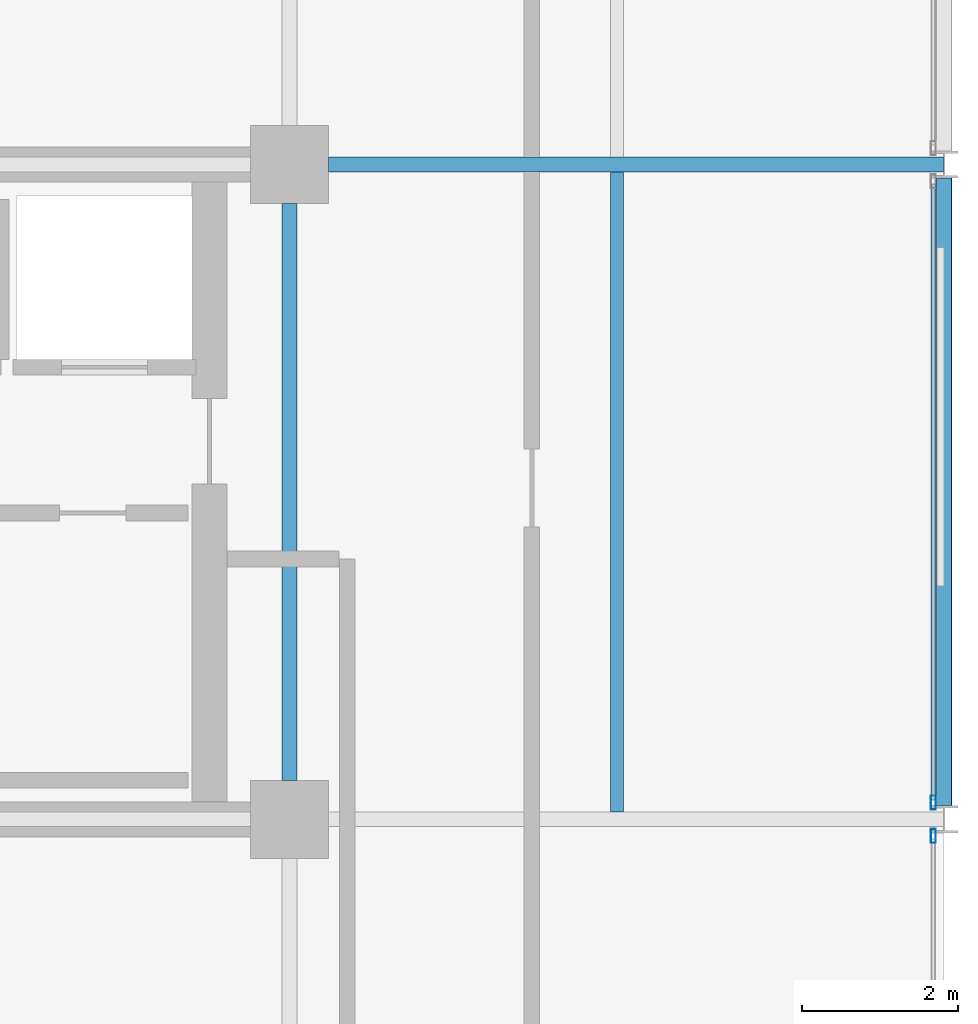
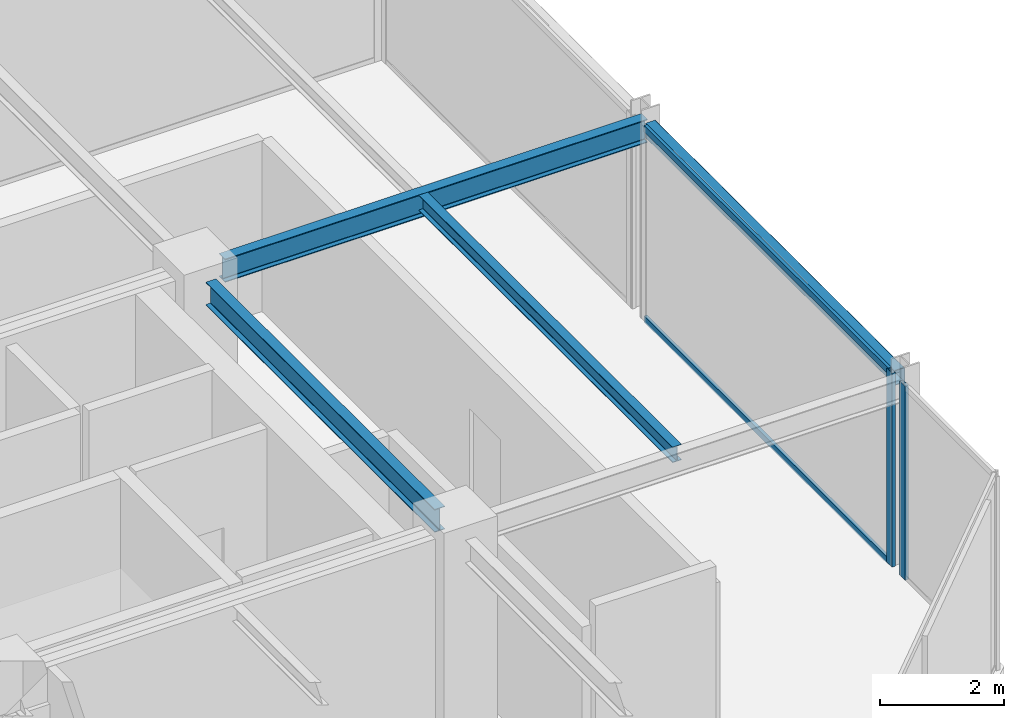
# One storey, part 14 of 25: 4 beams, 4 members, 2 elements without a shape of their own.
"""IFC4 building model written with IfcOpenShell, lengths in metres."""

from ifc_helpers import new_model, si_unit, direction, frame, origin, origin_2d, place, context, subcontext, project, spatial, hollow_rectangle, i_section, extrude, material, layer, layer_set, material_profile, profile_set, type_object, element, aggregate, save


model = new_model("IFC4")

# Units and contexts
model_context = context("Model", 3, precision=1e-05, world=origin(), true_north=direction((0.0, 1.0)))
body_context = subcontext(model_context, "Body", "Model", "MODEL_VIEW")
ifc_project = project(units=[si_unit("LENGTHUNIT", "METRE"), si_unit("AREAUNIT", "SQUARE_METRE"), si_unit("VOLUMEUNIT", "CUBIC_METRE"), si_unit("PLANEANGLEUNIT", "RADIAN"), si_unit("MASSUNIT", "GRAM", prefix="KILO")], contexts=[model_context])

# Site, building, storey
site_placement = place(None, origin())
site = spatial("IfcSite", under=ifc_project, at=site_placement, CompositionType="ELEMENT")
building_placement = place(site_placement, origin())
building = spatial("IfcBuilding", under=site, at=building_placement, Name="Nerrivon Quay Data Exchange", CompositionType="ELEMENT")
storey_placement = place(building_placement, frame((0.0, 0.0, 237.0)))
storey = spatial("IfcBuildingStorey", under=building, at=storey_placement, Name="L56", CompositionType="ELEMENT", Elevation=237.0)

# Beams
ifc_material_1 = material(Name="Steel Grade 350", Category="steel")
ifc_material_profile_1 = material_profile(ifc_material_1, i_section(OverallWidth=0.19091796875, OverallDepth=0.4599609375, WebThickness=0.010009765625, FlangeThickness=0.01611328125, FilletRadius=0.011474609375, at=origin_2d()), Name="460UB82.1")
ifc_profile_set_1 = profile_set([ifc_material_profile_1], Name="Steel Grade 350")
beam_type_1 = type_object("IfcBeamType", Name="BM-G5-460UB82", PredefinedType="BEAM", material=ifc_profile_set_1)
beam_1_placement = place(storey_placement, frame((34.10009765625, 16.800048828125, 3.594970703125), z_axis=(1.0, 0.0, 0.0), x_axis=(0.0, 1.0, 0.0)))
element("IfcBeam", 1, at=beam_1_placement, inside=storey, type_object=beam_type_1, Name="L56 EW Girder Y=16.8 (33.6..42.0)", PredefinedType="BEAM", context=body_context, shape_type="SweptSolid", body=[
    extrude(i_section(OverallWidth=0.19091796875, OverallDepth=0.4599609375, WebThickness=0.010009765625, FlangeThickness=0.01611328125, FilletRadius=0.011474609375, at=origin_2d()), origin(), (0.0, 0.0, 1.0), 7.889892578125),
])
ifc_material_profile_2 = material_profile(ifc_material_1, i_section(OverallWidth=0.18994140625, OverallDepth=0.4541015625, WebThickness=0.008544921875, FlangeThickness=0.0126953125, FilletRadius=0.011474609375, at=origin_2d()), Name="460UB67.1")
ifc_profile_set_2 = profile_set([ifc_material_profile_2], Name="Steel Grade 350")
beam_type_2 = type_object("IfcBeamType", Name="BM-G6-460UB67", PredefinedType="BEAM", material=ifc_profile_set_2)
beam_2_placement = place(storey_placement, frame((33.60009765625, 8.89990234375, 3.597900390625), z_axis=(0.0, 1.0, 0.0), x_axis=(-1.0, 0.0, 0.0)))
element("IfcBeam", 2, at=beam_2_placement, inside=storey, type_object=beam_type_2, Name="L56 NS Girder X=33.6 (8.4..16.8)", PredefinedType="BEAM", context=body_context, shape_type="SweptSolid", body=[
    extrude(i_section(OverallWidth=0.18994140625, OverallDepth=0.4541015625, WebThickness=0.008544921875, FlangeThickness=0.0126953125, FilletRadius=0.011474609375, at=origin_2d()), origin(), (0.0, 0.0, 1.0), 7.400146484375),
])
ifc_material_profile_3 = material_profile(ifc_material_1, i_section(OverallWidth=0.166015625, OverallDepth=0.306884765625, WebThickness=0.006591796875, FlangeThickness=0.01171875, FilletRadius=0.011474609375, at=origin_2d()), Name="310UB46.2")
ifc_profile_set_3 = profile_set([ifc_material_profile_3], Name="Steel Grade 350")
beam_type_3 = type_object("IfcBeamType", Name="BM-J5-310UB46", PredefinedType="JOIST", material=ifc_profile_set_3)
beam_3_placement = place(storey_placement, frame((37.800048828125, 8.49560546875, 3.67138671875), z_axis=(0.0, 1.0, 0.0), x_axis=(-1.0, 0.0, 0.0)))
element("IfcBeam", 3, at=beam_3_placement, inside=storey, type_object=beam_type_3, Name="L56 Secondary Joist X=37.8 (8.4..16.8)", PredefinedType="JOIST", context=body_context, shape_type="SweptSolid", body=[
    extrude(i_section(OverallWidth=0.166015625, OverallDepth=0.306884765625, WebThickness=0.006591796875, FlangeThickness=0.01171875, FilletRadius=0.011474609375, at=origin_2d()), origin(), (0.0, 0.0, 1.0), 8.208984375),
])
ifc_material_2 = material(Name="Steel Grade C350L0 (350 MPa)", Category="steel")
ifc_material_profile_4 = material_profile(ifc_material_2, hollow_rectangle(XDim=0.199951171875, YDim=0.300048828125, WallThickness=0.012451171875, InnerFilletRadius=0.018798828125, OuterFilletRadius=0.03125, at=origin_2d()), Name="300x200x12.5RHS")
ifc_profile_set_4 = profile_set([ifc_material_profile_4], Name="Steel Grade C350L0 (350 MPa)")
beam_type_4 = type_object("IfcBeamType", Name="BM-SP3-300x200RHS", PredefinedType="SPANDREL", material=ifc_profile_set_4)
beam_4_placement = place(storey_placement, frame((42.0, 8.574951171875, 3.675048828125), z_axis=(0.0, 1.0, 0.0), x_axis=(-1.0, 0.0, 0.0)))
element("IfcBeam", 4, at=beam_4_placement, inside=storey, type_object=beam_type_4, Name="L56 NS Girder X=42.0 (8.4..16.8)", PredefinedType="SPANDREL", context=body_context, shape_type="SweptSolid", body=[
    extrude(hollow_rectangle(XDim=0.199951171875, YDim=0.300048828125, WallThickness=0.012451171875, InnerFilletRadius=0.018798828125, OuterFilletRadius=0.03125, at=origin_2d()), origin(), (0.0, 0.0, 1.0), 8.050048828125),
])

# Curtain wall, member
ifc_material_3 = material(Name="Anodised aluminium 6063-T6", Category="aluminium")
ifc_layer = layer(ifc_material_3, 0.195068359375)
ifc_layer_set = layer_set([ifc_layer], Name="Anodised aluminium 6063-T6")
curtain_wall_type = type_object("IfcCurtainWallType", Name="CW-SYS-06", PredefinedType="NOTDEFINED", material=ifc_layer_set)
curtain_wall_1_placement = place(storey_placement, origin())
curtain_wall_1 = element("IfcCurtainWall", 5, at=curtain_wall_1_placement, inside=storey, type_object=curtain_wall_type, Name="L56 Unitised Curtain Wall 27", PredefinedType="NOTDEFINED")
ifc_material_profile_5 = material_profile(ifc_material_3, hollow_rectangle(XDim=0.06494140625, YDim=0.179931640625, WallThickness=0.00341796875, at=origin_2d()), Name="ALU-MULL-180x65")
ifc_profile_set_5 = profile_set([ifc_material_profile_5], Name="Anodised aluminium 6063-T6")
member_type_1 = type_object("IfcMemberType", Name="CWM-180x65", PredefinedType="MULLION", material=ifc_profile_set_5)
member_1_placement = place(storey_placement, frame((41.860107421875, 8.612548828125, 0.0), z_axis=(0.0, 0.0, 1.0), x_axis=(1.0, 0.0, 0.0)))
member_1 = element("IfcMember", 6, at=member_1_placement, type_object=member_type_1, Name="CW06 mullion 2", PredefinedType="MULLION", context=body_context, shape_type="SweptSolid", body=[
    extrude(hollow_rectangle(XDim=0.06494140625, YDim=0.179931640625, WallThickness=0.00341796875, at=origin_2d()), origin(), (0.0, 0.0, 1.0), 3.824951171875),
])

curtain_wall_2_placement = place(storey_placement, origin())
curtain_wall_2 = element("IfcCurtainWall", 7, at=curtain_wall_2_placement, inside=storey, type_object=curtain_wall_type, Name="L56 Unitised Curtain Wall 28", PredefinedType="NOTDEFINED")
member_2_placement = place(storey_placement, frame((41.860107421875, 8.1875, 0.0), z_axis=(0.0, 0.0, 1.0), x_axis=(1.0, 0.0, 0.0)))
member_2 = element("IfcMember", 8, at=member_2_placement, type_object=member_type_1, Name="CW06 mullion 1", PredefinedType="MULLION", context=body_context, shape_type="SweptSolid", body=[
    extrude(hollow_rectangle(XDim=0.06494140625, YDim=0.179931640625, WallThickness=0.00341796875, at=origin_2d()), origin(), (0.0, 0.0, 1.0), 3.824951171875),
])
aggregate(curtain_wall_2, [member_2])

# Member
ifc_material_profile_6 = material_profile(ifc_material_3, hollow_rectangle(XDim=0.06005859375, YDim=0.1201171875, WallThickness=0.003173828125, at=origin_2d()), Name="ALU-TRAN-120x60")
ifc_profile_set_6 = profile_set([ifc_material_profile_6], Name="Anodised aluminium 6063-T6")
member_type_2 = type_object("IfcMemberType", Name="CWT-120x60", PredefinedType="USERDEFINED", material=ifc_profile_set_6)
member_3_placement = place(storey_placement, frame((41.860107421875, 16.550048828125, 0.032470703125), z_axis=(0.0, -1.0, 0.0), x_axis=(1.0, 0.0, 0.0)))
member_3 = element("IfcMember", 9, at=member_3_placement, type_object=member_type_2, Name="CW06 transom 1.1", ObjectType="TRANSOM", PredefinedType="USERDEFINED", context=body_context, shape_type="SweptSolid", body=[
    extrude(hollow_rectangle(XDim=0.06005859375, YDim=0.1201171875, WallThickness=0.003173828125, at=origin_2d()), origin(), (0.0, 0.0, 1.0), 7.900146484375),
])

member_4_placement = place(storey_placement, frame((41.860107421875, 16.550048828125, 3.79248046875), z_axis=(0.0, -1.0, 0.0), x_axis=(1.0, 0.0, 0.0)))
member_4 = element("IfcMember", 10, at=member_4_placement, type_object=member_type_2, Name="CW06 transom 1.2", ObjectType="TRANSOM", PredefinedType="USERDEFINED", context=body_context, shape_type="SweptSolid", body=[
    extrude(hollow_rectangle(XDim=0.06005859375, YDim=0.1201171875, WallThickness=0.003173828125, at=origin_2d()), origin(), (0.0, 0.0, 1.0), 7.900146484375),
])

aggregate(curtain_wall_1, [member_1, member_3, member_4])

save(model, "model.ifc")
